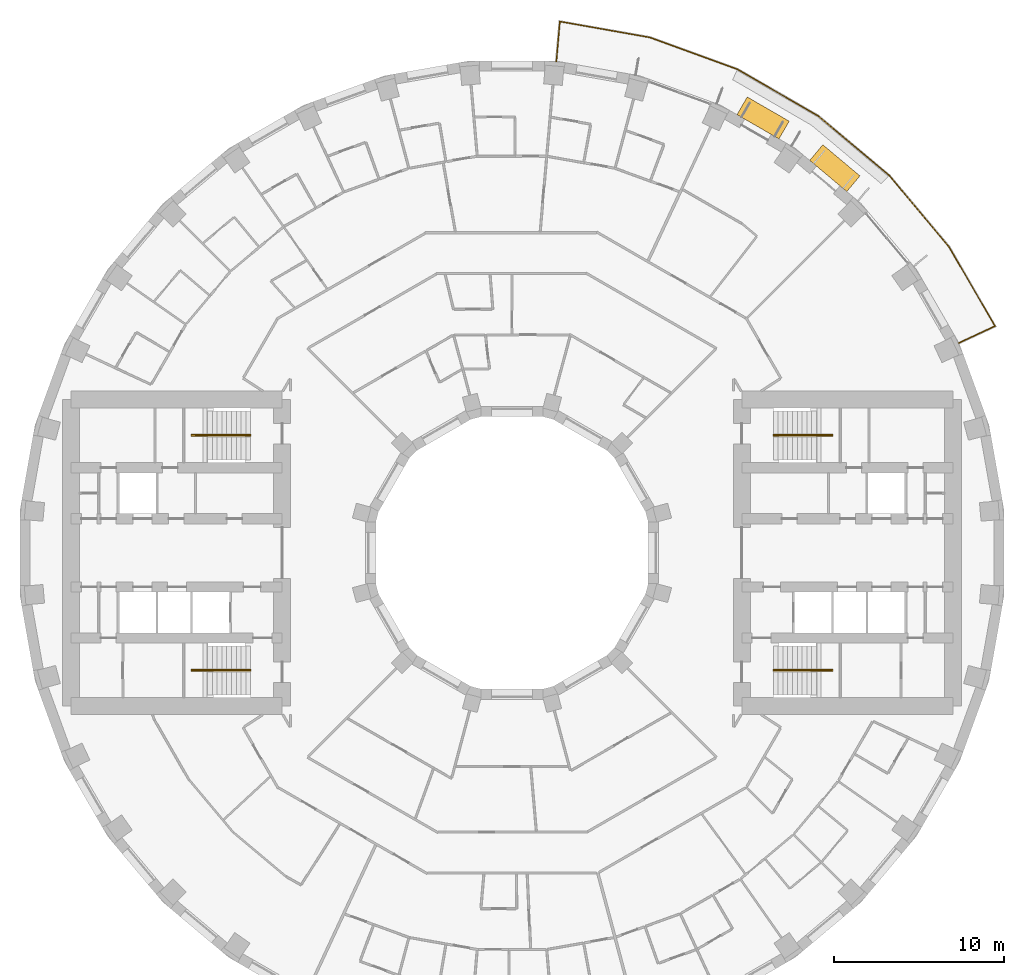
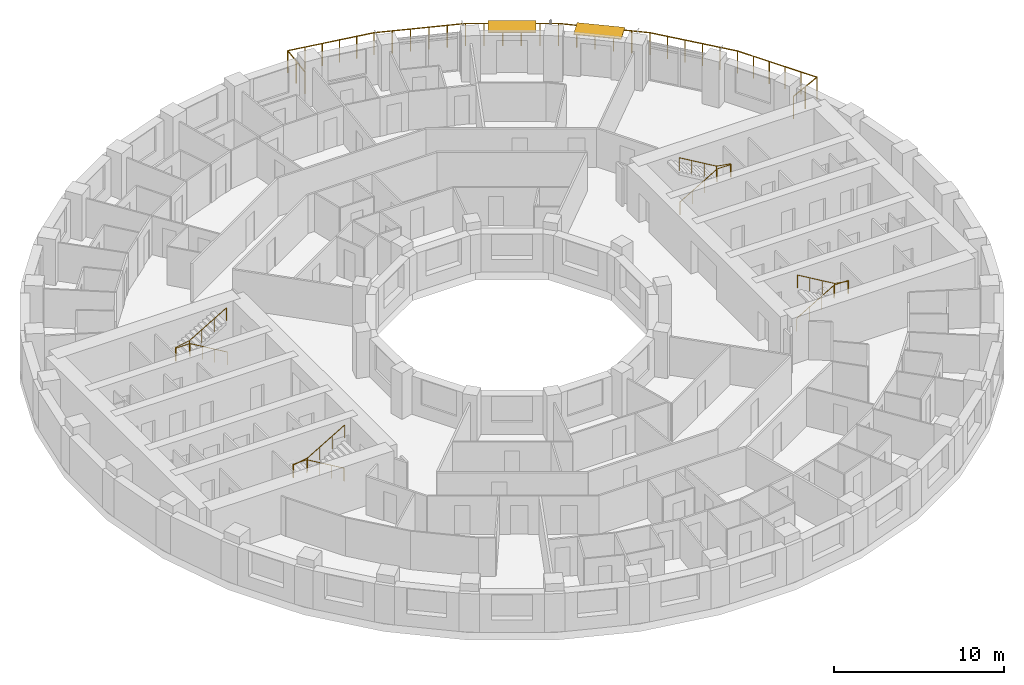
# One storey, part 15 of 15: 5 railings, 2 shading devices.
"""IFC4 building model written with IfcOpenShell, lengths in metres."""

import ifcopenshell
import ifcopenshell.guid

model = None  # the IFC model being written
_history = None  # IfcOwnerHistory: only IFC2X3 demands one
_inside = {}  # id of a spatial element -> (the spatial element, [elements in it])
_under = {}  # id of a project, library or spatial element -> (it, [spatial elements below it])
_declared = {}  # id of a project -> (the project, [libraries it declares])
_typed = {}  # id of a type object -> (the type object, [elements of that type])
_made_of = {}  # id of a material, layer set ... -> (it, [elements and type objects made of it])


def new_model(schema):
    """Start an empty IFC model of exactly this schema.

    Asked for "IFC4X3", IfcOpenShell would pick the latest addendum, in which some entities
    have other attributes; the version numbers below select the first issue.
    IFC2X3 requires an IfcOwnerHistory on every rooted entity: one is made here for all.
    """
    global model, _history
    if schema == "IFC4X3":
        model = ifcopenshell.file(schema_version=(4, 3, 0, 0))
    else:
        model = ifcopenshell.file(schema=schema)
    _inside.clear()
    _under.clear()
    _declared.clear()
    _typed.clear()
    _made_of.clear()
    _history = None
    if model.schema == "IFC2X3":
        org = make("IfcOrganization", Name="unknown")
        user = make(
            "IfcPersonAndOrganization",
            ThePerson=make("IfcPerson", FamilyName="unknown"),
            TheOrganization=org,
        )
        app = make(
            "IfcApplication",
            ApplicationDeveloper=org,
            Version="unknown",
            ApplicationFullName="unknown",
            ApplicationIdentifier="unknown",
        )
        _history = make(
            "IfcOwnerHistory",
            OwningUser=user,
            OwningApplication=app,
            ChangeAction="ADDED",
            CreationDate=0,
        )
    return model


def make(cls, **values):
    """One entity of the class cls with the attributes given. An attribute that is None is left unset."""
    return model.create_entity(
        cls, **{name: value for name, value in values.items() if value is not None}
    )


def rooted(cls, **values):
    """An entity with a GlobalId (a new one), such as an element, a storey or a relation."""
    return make(cls, GlobalId=ifcopenshell.guid.new(), OwnerHistory=_history, **values)


def si_unit(unit_type, name, prefix=None):
    """IfcSIUnit, for example si_unit("LENGTHUNIT", "METRE", prefix="MILLI")."""
    return make("IfcSIUnit", UnitType=unit_type, Prefix=prefix, Name=name)


def assignment(units):
    """IfcUnitAssignment: the units of a project."""
    return None if units is None else make("IfcUnitAssignment", Units=units)


def point(xyz):
    """IfcCartesianPoint."""
    return None if xyz is None else make("IfcCartesianPoint", Coordinates=xyz)


def direction(xyz):
    """IfcDirection."""
    return None if xyz is None else make("IfcDirection", DirectionRatios=xyz)


def frame(location, z_axis=None, x_axis=None):
    """IfcAxis2Placement3D, a coordinate frame: its origin and axes. An axis left out is left unset."""
    return make(
        "IfcAxis2Placement3D",
        Location=point(location),
        Axis=direction(z_axis),
        RefDirection=direction(x_axis),
    )


def frame_2d(location, x_axis=None):
    """IfcAxis2Placement2D, a coordinate frame in the plane: its origin and x axis."""
    return make(
        "IfcAxis2Placement2D", Location=point(location), RefDirection=direction(x_axis)
    )


def origin():
    """The frame at (0, 0, 0) with its axes left unset."""
    return frame((0.0, 0.0, 0.0))


def origin_2d():
    """The frame at (0, 0) in the plane with its x axis left unset."""
    return frame_2d((0.0, 0.0))


def place(relative_to, where):
    """IfcLocalPlacement: puts the frame where relative to a parent placement (None: the world)."""
    return make(
        "IfcLocalPlacement", PlacementRelTo=relative_to, RelativePlacement=where
    )


def context(
    kind, dimensions, precision=None, world=None, true_north=None, identifier=None
):
    """IfcGeometricRepresentationContext, for example the 3D "Model" context."""
    return make(
        "IfcGeometricRepresentationContext",
        ContextIdentifier=identifier,
        ContextType=kind,
        CoordinateSpaceDimension=dimensions,
        Precision=precision,
        WorldCoordinateSystem=world,
        TrueNorth=true_north,
    )


def subcontext(parent, identifier, kind, view, scale=None):
    """IfcGeometricRepresentationSubContext, for example "Body" below "Model"."""
    return make(
        "IfcGeometricRepresentationSubContext",
        ContextIdentifier=identifier,
        ContextType=kind,
        ParentContext=parent,
        TargetScale=scale,
        TargetView=view,
    )


def project(units=None, contexts=None):
    """IfcProject with its units and contexts."""
    return rooted(
        "IfcProject",
        Name="project",
        RepresentationContexts=contexts,
        UnitsInContext=assignment(units),
    )


def spatial(cls, under=None, at=None, **own):
    """A site, building, storey or space (cls), placed at a placement, below another one or the project."""
    s = rooted(cls, ObjectPlacement=at, **own)
    if under is not None:
        _under.setdefault(under.id(), (under, []))[1].append(s)
    return s


def profile(cls, at=None, kind="AREA", **sizes):
    """A parametric profile (cls). Its sizes go by their IFC names, for example OverallWidth=200.0."""
    return make(cls, ProfileType=kind, Position=at, **sizes)


def rectangle(**sizes):
    """IfcRectangleProfileDef."""
    return profile("IfcRectangleProfileDef", **sizes)


def circle(**sizes):
    """IfcCircleProfileDef."""
    return profile("IfcCircleProfileDef", **sizes)


def extrude(swept, where, along, depth):
    """IfcExtrudedAreaSolid: the profile swept, set in the frame where, extruded along a direction by depth."""
    return make(
        "IfcExtrudedAreaSolid",
        SweptArea=swept,
        Position=where,
        ExtrudedDirection=direction(along),
        Depth=depth,
    )


def shape(context_of_items, identifier, shape_type, items):
    """IfcShapeRepresentation: the items that make up one representation, for example the "Body"."""
    return make(
        "IfcShapeRepresentation",
        ContextOfItems=context_of_items,
        RepresentationIdentifier=identifier,
        RepresentationType=shape_type,
        Items=items,
    )


def material(Name=None, Category=None):
    """IfcMaterial."""
    return make("IfcMaterial", Name=Name, Category=Category)


def layer(
    of_material, thickness, ventilated=None, Name=None, Category=None, Priority=None
):
    """IfcMaterialLayer: one layer of a wall or slab, of a material (None: an air gap)."""
    return make(
        "IfcMaterialLayer",
        Material=of_material,
        LayerThickness=thickness,
        IsVentilated=ventilated,
        Name=Name,
        Category=Category,
        Priority=Priority,
    )


def layer_set(layers, Name=None):
    """IfcMaterialLayerSet."""
    return make("IfcMaterialLayerSet", MaterialLayers=layers, LayerSetName=Name)


def made_of(thing, what):
    """Note that an element or type object is made of a material, layer set ...; save() writes the relation."""
    if what is not None:
        _made_of.setdefault(what.id(), (what, []))[1].append(thing)
    return thing


def type_object(cls, material=None, **own):
    """A type object (cls), such as IfcWallType, which elements share."""
    return made_of(rooted(cls, **own), material)


def element(
    cls,
    number,
    at=None,
    inside=None,
    cuts=None,
    type_object=None,
    material=None,
    context=None,
    identifier="Body",
    shape_type=None,
    held_by="IfcProductDefinitionShape",
    body=None,
    shapes=None,
    **own,
):
    """One element of the class cls, such as IfcWall. Its Tag is "e" and its number.

    at: its placement. inside: the storey or other place that contains it. cuts: it is an
    opening in that element (IfcRelVoidsElement). A single representation is given by context,
    identifier, shape_type and body (its items); several are given by shapes. held_by: the class
    of the entity that holds the representations. save() writes the other relations.
    """
    e = rooted(cls, Tag="e%d" % number, ObjectPlacement=at, **own)
    if body is not None:
        shapes = [shape(context, identifier, shape_type, body)]
    if shapes is not None:
        e.Representation = make(held_by, Representations=shapes)
    if inside is not None:
        _inside.setdefault(inside.id(), (inside, []))[1].append(e)
    if cuts is not None:
        rooted(
            "IfcRelVoidsElement", RelatingBuildingElement=cuts, RelatedOpeningElement=e
        )
    if type_object is not None:
        _typed.setdefault(type_object.id(), (type_object, []))[1].append(e)
    return made_of(e, material)


def aggregate(whole, parts):
    """IfcRelAggregates: a whole, such as a stair, and the parts it consists of."""
    return rooted("IfcRelAggregates", RelatingObject=whole, RelatedObjects=parts)


def save(model, path):
    """Write the relations noted so far, then the file.

    IfcRelAggregates (storeys below a building ...), IfcRelContainedInSpatialStructure (elements
    in a storey), IfcRelDefinesByType, IfcRelAssociatesMaterial and IfcRelDeclares: one each for
    every whole, place, type object, material and project.
    """
    for whole, parts in _under.values():
        aggregate(whole, parts)
    for where, things in _inside.values():
        rooted(
            "IfcRelContainedInSpatialStructure",
            RelatedElements=things,
            RelatingStructure=where,
        )
    for kind, things in _typed.values():
        rooted("IfcRelDefinesByType", RelatedObjects=things, RelatingType=kind)
    for what, things in _made_of.values():
        rooted("IfcRelAssociatesMaterial", RelatedObjects=things, RelatingMaterial=what)
    for by, libraries in _declared.values():
        rooted("IfcRelDeclares", RelatingContext=by, RelatedDefinitions=libraries)
    model.write(path)


model = new_model("IFC4")

# Units and contexts
model_context = context("Model", 3, precision=1e-05, world=origin(), true_north=direction((0.0, 1.0)))
body_context = subcontext(model_context, "Body", "Model", "MODEL_VIEW")
ifc_project = project(units=[si_unit("LENGTHUNIT", "METRE"), si_unit("AREAUNIT", "SQUARE_METRE"), si_unit("VOLUMEUNIT", "CUBIC_METRE"), si_unit("PLANEANGLEUNIT", "RADIAN"), si_unit("MASSUNIT", "GRAM", prefix="KILO")], contexts=[model_context])

# Site, building, storey
site_placement = place(None, origin())
site = spatial("IfcSite", under=ifc_project, at=site_placement, CompositionType="ELEMENT")
building_placement = place(site_placement, origin())
building = spatial("IfcBuilding", under=site, at=building_placement, Name="Saqina Gate Tower", CompositionType="ELEMENT")
storey_placement = place(building_placement, frame((0.0, 0.0, 69.199951171875)))
storey = spatial("IfcBuildingStorey", under=building, at=storey_placement, Name="L19", CompositionType="ELEMENT", Elevation=69.199951171875)

# Shading devices
ifc_material_1 = material(Name="Aluminium and fabric awning", Category="aluminium")
ifc_layer = layer(ifc_material_1, 0.050048828125)
ifc_layer_set = layer_set([ifc_layer], Name="AW-TERRACE")
shading_device_type = type_object("IfcShadingDeviceType", Name="AW-TERRACE", PredefinedType="AWNING", material=ifc_layer_set)
for number, where, z_axis, x_axis, name in (
    (1, (18.95556640625, 22.59033203125, 2.52490234375), (0.0, 0.0, 1.0), (-0.766044443119, 0.642787609687, 0.0), "Terrace awning L19 facet 5"),
    (2, (14.744873046875, 25.538818359375, 2.52490234375), (0.0, 0.0, 1.0), (-0.866025403784, 0.5, 0.0), "Terrace awning L19 facet 6"),
):
    element("IfcShadingDevice", number, at=place(storey_placement, frame(where, z_axis=z_axis, x_axis=x_axis)), inside=storey, type_object=shading_device_type, Name=name, PredefinedType="AWNING", context=body_context, shape_type="SweptSolid", body=[
        extrude(rectangle(XDim=2.845703125, YDim=1.199951171875, at=origin_2d()), origin(), (0.0, 0.0, 1.0), 0.050048828125),
    ])

# Railings
ifc_material_2 = material(Name="Stainless steel", Category="steel")
railing_type_1 = type_object("IfcRailingType", Name="RL-TERRACE", PredefinedType="GUARDRAIL", material=ifc_material_2)
railing_1_placement = place(storey_placement, frame((26.194580078125, 12.302978515625, 0.0)))
element("IfcRailing", 3, at=railing_1_placement, inside=storey, type_object=railing_type_1, Name="Terrace guard L19", PredefinedType="GUARDRAIL", context=body_context, shape_type="SweptSolid", body=[
    extrude(circle(Radius=0.02392578125, at=origin_2d()), frame((0.0, 0.0, 1.576171875), z_axis=(0.906295364449, 0.422644901044, 0.0), x_axis=(-0.422644901044, 0.906295364449, 0.0)), (0.0, 0.0, 1.0), 2.38916015625),
    extrude(circle(Radius=0.02392578125, at=origin_2d()), frame((2.165283203125, 1.009765625, 1.576171875), z_axis=(-0.50114357045, 0.8653641556, 0.0), x_axis=(-0.8653641556, -0.50114357045, 0.0)), (0.0, 0.0, 1.0), 5.38134765625),
    extrude(circle(Radius=0.02392578125, at=origin_2d()), frame((-0.531494140625, 5.66650390625, 1.576171875), z_axis=(-0.642788339532, 0.766043830705, 0.0), x_axis=(-0.766043830705, -0.642788339532, 0.0)), (0.0, 0.0, 1.0), 5.4609375),
    extrude(circle(Radius=0.02392578125, at=origin_2d()), frame((-4.041748046875, 9.849853515625, 1.576171875), z_axis=(-0.766043830705, 0.642788339532, 0.0), x_axis=(-0.642788339532, -0.766043830705, 0.0)), (0.0, 0.0, 1.0), 5.4609375),
    extrude(circle(Radius=0.02392578125, at=origin_2d()), frame((-8.22509765625, 13.360107421875, 1.576171875), z_axis=(-0.866033716285, 0.499985602051, 0.0), x_axis=(-0.499985602051, -0.866033716285, 0.0)), (0.0, 0.0, 1.0), 5.461181640625),
    extrude(circle(Radius=0.02392578125, at=origin_2d()), frame((-12.95458984375, 16.090576171875, 1.576171875), z_axis=(-0.939682423935, 0.342048157644, 0.0), x_axis=(-0.342048157644, -0.939682423935, 0.0)), (0.0, 0.0, 1.0), 5.4609375),
    extrude(circle(Radius=0.02392578125, at=origin_2d()), frame((-18.086181640625, 17.95849609375, 1.576171875), z_axis=(-0.98458560798, 0.174903346333, 0.0), x_axis=(-0.174903346333, -0.98458560798, 0.0)), (0.0, 0.0, 1.0), 5.381103515625),
    extrude(circle(Radius=0.02392578125, at=origin_2d()), frame((-23.38427734375, 18.899658203125, 1.576171875), z_axis=(-0.087180896688, -0.996192497087, 0.0), x_axis=(0.996192497087, -0.087180896688, 0.0)), (0.0, 0.0, 1.0), 2.388671875),
    extrude(circle(Radius=0.02099609375, at=origin_2d()), origin(), (0.0, 0.0, 1.0), 1.552001953125),
    extrude(circle(Radius=0.02099609375, at=origin_2d()), frame((1.08251953125, 0.5048828125, 0.0)), (0.0, 0.0, 1.0), 1.552001953125),
    extrude(circle(Radius=0.02099609375, at=origin_2d()), frame((2.165283203125, 1.009765625, 0.0)), (0.0, 0.0, 1.0), 1.552001953125),
    extrude(circle(Radius=0.02099609375, at=origin_2d()), frame((1.6259765625, 1.941162109375, 0.0)), (0.0, 0.0, 1.0), 1.552001953125),
    extrude(circle(Radius=0.02099609375, at=origin_2d()), frame((1.086669921875, 2.87255859375, 0.0)), (0.0, 0.0, 1.0), 1.552001953125),
    extrude(circle(Radius=0.02099609375, at=origin_2d()), frame((0.547119140625, 3.8037109375, 0.0)), (0.0, 0.0, 1.0), 1.552001953125),
    extrude(circle(Radius=0.02099609375, at=origin_2d()), frame((0.0078125, 4.735107421875, 0.0)), (0.0, 0.0, 1.0), 1.552001953125),
    extrude(circle(Radius=0.02099609375, at=origin_2d()), frame((-0.531494140625, 5.66650390625, 0.0)), (0.0, 0.0, 1.0), 1.552001953125),
    extrude(circle(Radius=0.02099609375, at=origin_2d()), frame((-1.233642578125, 6.503173828125, 0.0)), (0.0, 0.0, 1.0), 1.552001953125),
    extrude(circle(Radius=0.02099609375, at=origin_2d()), frame((-1.935546875, 7.33984375, 0.0)), (0.0, 0.0, 1.0), 1.552001953125),
    extrude(circle(Radius=0.02099609375, at=origin_2d()), frame((-2.6376953125, 8.176513671875, 0.0)), (0.0, 0.0, 1.0), 1.552001953125),
    extrude(circle(Radius=0.02099609375, at=origin_2d()), frame((-3.339599609375, 9.01318359375, 0.0)), (0.0, 0.0, 1.0), 1.552001953125),
    extrude(circle(Radius=0.02099609375, at=origin_2d()), frame((-4.041748046875, 9.849853515625, 0.0)), (0.0, 0.0, 1.0), 1.552001953125),
    extrude(circle(Radius=0.02099609375, at=origin_2d()), frame((-4.87841796875, 10.552001953125, 0.0)), (0.0, 0.0, 1.0), 1.552001953125),
    extrude(circle(Radius=0.02099609375, at=origin_2d()), frame((-5.715087890625, 11.25390625, 0.0)), (0.0, 0.0, 1.0), 1.552001953125),
    extrude(circle(Radius=0.02099609375, at=origin_2d()), frame((-6.5517578125, 11.9560546875, 0.0)), (0.0, 0.0, 1.0), 1.552001953125),
    extrude(circle(Radius=0.02099609375, at=origin_2d()), frame((-7.388427734375, 12.657958984375, 0.0)), (0.0, 0.0, 1.0), 1.552001953125),
    extrude(circle(Radius=0.02099609375, at=origin_2d()), frame((-8.22509765625, 13.360107421875, 0.0)), (0.0, 0.0, 1.0), 1.552001953125),
    extrude(circle(Radius=0.02099609375, at=origin_2d()), frame((-9.1708984375, 13.90625, 0.0)), (0.0, 0.0, 1.0), 1.552001953125),
    extrude(circle(Radius=0.02099609375, at=origin_2d()), frame((-10.116943359375, 14.452392578125, 0.0)), (0.0, 0.0, 1.0), 1.552001953125),
    extrude(circle(Radius=0.02099609375, at=origin_2d()), frame((-11.062744140625, 14.998291015625, 0.0)), (0.0, 0.0, 1.0), 1.552001953125),
    extrude(circle(Radius=0.02099609375, at=origin_2d()), frame((-12.0087890625, 15.54443359375, 0.0)), (0.0, 0.0, 1.0), 1.552001953125),
    extrude(circle(Radius=0.02099609375, at=origin_2d()), frame((-12.95458984375, 16.090576171875, 0.0)), (0.0, 0.0, 1.0), 1.552001953125),
    extrude(circle(Radius=0.02099609375, at=origin_2d()), frame((-13.98095703125, 16.464111328125, 0.0)), (0.0, 0.0, 1.0), 1.552001953125),
    extrude(circle(Radius=0.02099609375, at=origin_2d()), frame((-15.00732421875, 16.837646484375, 0.0)), (0.0, 0.0, 1.0), 1.552001953125),
    extrude(circle(Radius=0.02099609375, at=origin_2d()), frame((-16.033447265625, 17.21142578125, 0.0)), (0.0, 0.0, 1.0), 1.552001953125),
    extrude(circle(Radius=0.02099609375, at=origin_2d()), frame((-17.059814453125, 17.5849609375, 0.0)), (0.0, 0.0, 1.0), 1.552001953125),
    extrude(circle(Radius=0.02099609375, at=origin_2d()), frame((-18.086181640625, 17.95849609375, 0.0)), (0.0, 0.0, 1.0), 1.552001953125),
    extrude(circle(Radius=0.02099609375, at=origin_2d()), frame((-19.145751953125, 18.146728515625, 0.0)), (0.0, 0.0, 1.0), 1.552001953125),
    extrude(circle(Radius=0.02099609375, at=origin_2d()), frame((-20.205322265625, 18.3349609375, 0.0)), (0.0, 0.0, 1.0), 1.552001953125),
    extrude(circle(Radius=0.02099609375, at=origin_2d()), frame((-21.26513671875, 18.523193359375, 0.0)), (0.0, 0.0, 1.0), 1.552001953125),
    extrude(circle(Radius=0.02099609375, at=origin_2d()), frame((-22.32470703125, 18.71142578125, 0.0)), (0.0, 0.0, 1.0), 1.552001953125),
    extrude(circle(Radius=0.02099609375, at=origin_2d()), frame((-23.38427734375, 18.899658203125, 0.0)), (0.0, 0.0, 1.0), 1.552001953125),
    extrude(circle(Radius=0.02099609375, at=origin_2d()), frame((-23.48828125, 17.7099609375, 0.0)), (0.0, 0.0, 1.0), 1.552001953125),
    extrude(circle(Radius=0.02099609375, at=origin_2d()), frame((-23.592529296875, 16.52001953125, 0.0)), (0.0, 0.0, 1.0), 1.552001953125),
])
ifc_material_3 = material(Name="Stainless steel", Category="steel")
railing_type_2 = type_object("IfcRailingType", Name="STAIR HANDRAIL", PredefinedType="HANDRAIL", material=ifc_material_3)
railing_2_placement = place(storey_placement, frame((15.35009765625, 6.86669921875, 0.1650390625)))
element("IfcRailing", 4, at=railing_2_placement, inside=storey, type_object=railing_type_2, Name="EXIT STAIR 1 HANDRAIL", PredefinedType="HANDRAIL", context=body_context, shape_type="SweptSolid", body=[
    extrude(circle(Radius=0.02392578125, at=origin_2d()), frame((0.0, 0.0, 0.92578125), z_axis=(0.86152411907, 0.0, 0.507716645641), x_axis=(0.0, 1.0, 0.0)), (0.0, 0.0, 1.0), 2.925048828125),
    extrude(circle(Radius=0.02392578125, at=origin_2d()), frame((2.52001953125, 0.0, 2.4111328125), z_axis=(1.0, 0.0, 0.0), x_axis=(0.0, 1.0, 0.0)), (0.0, 0.0, 1.0), 0.949951171875),
    extrude(circle(Radius=0.02392578125, at=origin_2d()), frame((3.469970703125, 0.0, 2.4111328125), z_axis=(0.0, 1.0, 0.0), x_axis=(-1.0, 0.0, 0.0)), (0.0, 0.0, 1.0), 0.066650390625),
    extrude(circle(Radius=0.02392578125, at=origin_2d()), frame((3.469970703125, 0.066650390625, 2.4111328125), z_axis=(-0.985284148366, 0.0, 0.170924389655), x_axis=(0.0, -1.0, 0.0)), (0.0, 0.0, 1.0), 0.964111328125),
    extrude(circle(Radius=0.02392578125, at=origin_2d()), frame((2.52001953125, 0.066650390625, 2.57568359375), z_axis=(-0.86152411907, 0.0, 0.507716645641), x_axis=(0.0, -1.0, 0.0)), (0.0, 0.0, 1.0), 2.925048828125),
    extrude(circle(Radius=0.02099609375, at=origin_2d()), origin(), (0.0, 0.0, 1.0), 0.90185546875),
    extrude(circle(Radius=0.02099609375, at=origin_2d()), frame((0.840087890625, 0.0, 0.4951171875)), (0.0, 0.0, 1.0), 0.90185546875),
    extrude(circle(Radius=0.02099609375, at=origin_2d()), frame((1.679931640625, 0.0, 0.989990234375)), (0.0, 0.0, 1.0), 0.90185546875),
    extrude(circle(Radius=0.02099609375, at=origin_2d()), frame((2.52001953125, 0.0, 1.485107421875)), (0.0, 0.0, 1.0), 0.90185546875),
    extrude(circle(Radius=0.02099609375, at=origin_2d()), frame((3.469970703125, 0.0, 1.485107421875)), (0.0, 0.0, 1.0), 0.90185546875),
    extrude(circle(Radius=0.02099609375, at=origin_2d()), frame((3.469970703125, 0.066650390625, 1.485107421875)), (0.0, 0.0, 1.0), 0.90185546875),
    extrude(circle(Radius=0.02099609375, at=origin_2d()), frame((2.52001953125, 0.066650390625, 1.64990234375)), (0.0, 0.0, 1.0), 0.90185546875),
    extrude(circle(Radius=0.02099609375, at=origin_2d()), frame((1.679931640625, 0.066650390625, 2.14501953125)), (0.0, 0.0, 1.0), 0.90185546875),
    extrude(circle(Radius=0.02099609375, at=origin_2d()), frame((0.840087890625, 0.066650390625, 2.639892578125)), (0.0, 0.0, 1.0), 0.90185546875),
    extrude(circle(Radius=0.02099609375, at=origin_2d()), frame((0.0, 0.066650390625, 3.135009765625)), (0.0, 0.0, 1.0), 0.90185546875),
])
railing_3_placement = place(storey_placement, frame((15.35009765625, -6.86669921875, 0.1650390625)))
element("IfcRailing", 5, at=railing_3_placement, inside=storey, type_object=railing_type_2, Name="EXIT STAIR 2 HANDRAIL", PredefinedType="HANDRAIL", context=body_context, shape_type="SweptSolid", body=[
    extrude(circle(Radius=0.02392578125, at=origin_2d()), frame((0.0, 0.0, 0.92578125), z_axis=(0.86152411907, 0.0, 0.507716645641), x_axis=(0.0, 1.0, 0.0)), (0.0, 0.0, 1.0), 2.925048828125),
    extrude(circle(Radius=0.02392578125, at=origin_2d()), frame((2.52001953125, 0.0, 2.4111328125), z_axis=(1.0, 0.0, 0.0), x_axis=(0.0, 1.0, 0.0)), (0.0, 0.0, 1.0), 0.949951171875),
    extrude(circle(Radius=0.02392578125, at=origin_2d()), frame((3.469970703125, 0.0, 2.4111328125), z_axis=(0.0, -1.0, 0.0), x_axis=(1.0, 0.0, 0.0)), (0.0, 0.0, 1.0), 0.066650390625),
    extrude(circle(Radius=0.02392578125, at=origin_2d()), frame((3.469970703125, -0.066650390625, 2.4111328125), z_axis=(-0.985284148366, 0.0, 0.170924389655), x_axis=(0.0, -1.0, 0.0)), (0.0, 0.0, 1.0), 0.964111328125),
    extrude(circle(Radius=0.02392578125, at=origin_2d()), frame((2.52001953125, -0.066650390625, 2.57568359375), z_axis=(-0.86152411907, 0.0, 0.507716645641), x_axis=(0.0, -1.0, 0.0)), (0.0, 0.0, 1.0), 2.925048828125),
    extrude(circle(Radius=0.02099609375, at=origin_2d()), origin(), (0.0, 0.0, 1.0), 0.90185546875),
    extrude(circle(Radius=0.02099609375, at=origin_2d()), frame((0.840087890625, 0.0, 0.4951171875)), (0.0, 0.0, 1.0), 0.90185546875),
    extrude(circle(Radius=0.02099609375, at=origin_2d()), frame((1.679931640625, 0.0, 0.989990234375)), (0.0, 0.0, 1.0), 0.90185546875),
    extrude(circle(Radius=0.02099609375, at=origin_2d()), frame((2.52001953125, 0.0, 1.485107421875)), (0.0, 0.0, 1.0), 0.90185546875),
    extrude(circle(Radius=0.02099609375, at=origin_2d()), frame((3.469970703125, 0.0, 1.485107421875)), (0.0, 0.0, 1.0), 0.90185546875),
    extrude(circle(Radius=0.02099609375, at=origin_2d()), frame((3.469970703125, -0.066650390625, 1.485107421875)), (0.0, 0.0, 1.0), 0.90185546875),
    extrude(circle(Radius=0.02099609375, at=origin_2d()), frame((2.52001953125, -0.066650390625, 1.64990234375)), (0.0, 0.0, 1.0), 0.90185546875),
    extrude(circle(Radius=0.02099609375, at=origin_2d()), frame((1.679931640625, -0.066650390625, 2.14501953125)), (0.0, 0.0, 1.0), 0.90185546875),
    extrude(circle(Radius=0.02099609375, at=origin_2d()), frame((0.840087890625, -0.066650390625, 2.639892578125)), (0.0, 0.0, 1.0), 0.90185546875),
    extrude(circle(Radius=0.02099609375, at=origin_2d()), frame((0.0, -0.066650390625, 3.135009765625)), (0.0, 0.0, 1.0), 0.90185546875),
])
railing_4_placement = place(storey_placement, frame((-15.35009765625, 6.86669921875, 0.1650390625)))
element("IfcRailing", 6, at=railing_4_placement, inside=storey, type_object=railing_type_2, Name="EXIT STAIR 3 HANDRAIL", PredefinedType="HANDRAIL", context=body_context, shape_type="SweptSolid", body=[
    extrude(circle(Radius=0.02392578125, at=origin_2d()), frame((0.0, 0.0, 0.92578125), z_axis=(-0.86152411907, 0.0, 0.507716645641), x_axis=(0.0, -1.0, 0.0)), (0.0, 0.0, 1.0), 2.925048828125),
    extrude(circle(Radius=0.02392578125, at=origin_2d()), frame((-2.52001953125, 0.0, 2.4111328125), z_axis=(-1.0, 0.0, 0.0), x_axis=(0.0, -1.0, 0.0)), (0.0, 0.0, 1.0), 0.949951171875),
    extrude(circle(Radius=0.02392578125, at=origin_2d()), frame((-3.469970703125, 0.0, 2.4111328125), z_axis=(0.0, 1.0, 0.0), x_axis=(-1.0, 0.0, 0.0)), (0.0, 0.0, 1.0), 0.066650390625),
    extrude(circle(Radius=0.02392578125, at=origin_2d()), frame((-3.469970703125, 0.066650390625, 2.4111328125), z_axis=(0.985284148366, 0.0, 0.170924389655), x_axis=(0.0, 1.0, 0.0)), (0.0, 0.0, 1.0), 0.964111328125),
    extrude(circle(Radius=0.02392578125, at=origin_2d()), frame((-2.52001953125, 0.066650390625, 2.57568359375), z_axis=(0.86152411907, 0.0, 0.507716645641), x_axis=(0.0, 1.0, 0.0)), (0.0, 0.0, 1.0), 2.925048828125),
    extrude(circle(Radius=0.02099609375, at=origin_2d()), origin(), (0.0, 0.0, 1.0), 0.90185546875),
    extrude(circle(Radius=0.02099609375, at=origin_2d()), frame((-0.840087890625, 0.0, 0.4951171875)), (0.0, 0.0, 1.0), 0.90185546875),
    extrude(circle(Radius=0.02099609375, at=origin_2d()), frame((-1.679931640625, 0.0, 0.989990234375)), (0.0, 0.0, 1.0), 0.90185546875),
    extrude(circle(Radius=0.02099609375, at=origin_2d()), frame((-2.52001953125, 0.0, 1.485107421875)), (0.0, 0.0, 1.0), 0.90185546875),
    extrude(circle(Radius=0.02099609375, at=origin_2d()), frame((-3.469970703125, 0.0, 1.485107421875)), (0.0, 0.0, 1.0), 0.90185546875),
    extrude(circle(Radius=0.02099609375, at=origin_2d()), frame((-3.469970703125, 0.066650390625, 1.485107421875)), (0.0, 0.0, 1.0), 0.90185546875),
    extrude(circle(Radius=0.02099609375, at=origin_2d()), frame((-2.52001953125, 0.066650390625, 1.64990234375)), (0.0, 0.0, 1.0), 0.90185546875),
    extrude(circle(Radius=0.02099609375, at=origin_2d()), frame((-1.679931640625, 0.066650390625, 2.14501953125)), (0.0, 0.0, 1.0), 0.90185546875),
    extrude(circle(Radius=0.02099609375, at=origin_2d()), frame((-0.840087890625, 0.066650390625, 2.639892578125)), (0.0, 0.0, 1.0), 0.90185546875),
    extrude(circle(Radius=0.02099609375, at=origin_2d()), frame((0.0, 0.066650390625, 3.135009765625)), (0.0, 0.0, 1.0), 0.90185546875),
])
railing_5_placement = place(storey_placement, frame((-15.35009765625, -6.86669921875, 0.1650390625)))
element("IfcRailing", 7, at=railing_5_placement, inside=storey, type_object=railing_type_2, Name="EXIT STAIR 4 HANDRAIL", PredefinedType="HANDRAIL", context=body_context, shape_type="SweptSolid", body=[
    extrude(circle(Radius=0.02392578125, at=origin_2d()), frame((0.0, 0.0, 0.92578125), z_axis=(-0.86152411907, 0.0, 0.507716645641), x_axis=(0.0, -1.0, 0.0)), (0.0, 0.0, 1.0), 2.925048828125),
    extrude(circle(Radius=0.02392578125, at=origin_2d()), frame((-2.52001953125, 0.0, 2.4111328125), z_axis=(-1.0, 0.0, 0.0), x_axis=(0.0, -1.0, 0.0)), (0.0, 0.0, 1.0), 0.949951171875),
    extrude(circle(Radius=0.02392578125, at=origin_2d()), frame((-3.469970703125, 0.0, 2.4111328125), z_axis=(0.0, -1.0, 0.0), x_axis=(1.0, 0.0, 0.0)), (0.0, 0.0, 1.0), 0.066650390625),
    extrude(circle(Radius=0.02392578125, at=origin_2d()), frame((-3.469970703125, -0.066650390625, 2.4111328125), z_axis=(0.985284148366, 0.0, 0.170924389655), x_axis=(0.0, 1.0, 0.0)), (0.0, 0.0, 1.0), 0.964111328125),
    extrude(circle(Radius=0.02392578125, at=origin_2d()), frame((-2.52001953125, -0.066650390625, 2.57568359375), z_axis=(0.86152411907, 0.0, 0.507716645641), x_axis=(0.0, 1.0, 0.0)), (0.0, 0.0, 1.0), 2.925048828125),
    extrude(circle(Radius=0.02099609375, at=origin_2d()), origin(), (0.0, 0.0, 1.0), 0.90185546875),
    extrude(circle(Radius=0.02099609375, at=origin_2d()), frame((-0.840087890625, 0.0, 0.4951171875)), (0.0, 0.0, 1.0), 0.90185546875),
    extrude(circle(Radius=0.02099609375, at=origin_2d()), frame((-1.679931640625, 0.0, 0.989990234375)), (0.0, 0.0, 1.0), 0.90185546875),
    extrude(circle(Radius=0.02099609375, at=origin_2d()), frame((-2.52001953125, 0.0, 1.485107421875)), (0.0, 0.0, 1.0), 0.90185546875),
    extrude(circle(Radius=0.02099609375, at=origin_2d()), frame((-3.469970703125, 0.0, 1.485107421875)), (0.0, 0.0, 1.0), 0.90185546875),
    extrude(circle(Radius=0.02099609375, at=origin_2d()), frame((-3.469970703125, -0.066650390625, 1.485107421875)), (0.0, 0.0, 1.0), 0.90185546875),
    extrude(circle(Radius=0.02099609375, at=origin_2d()), frame((-2.52001953125, -0.066650390625, 1.64990234375)), (0.0, 0.0, 1.0), 0.90185546875),
    extrude(circle(Radius=0.02099609375, at=origin_2d()), frame((-1.679931640625, -0.066650390625, 2.14501953125)), (0.0, 0.0, 1.0), 0.90185546875),
    extrude(circle(Radius=0.02099609375, at=origin_2d()), frame((-0.840087890625, -0.066650390625, 2.639892578125)), (0.0, 0.0, 1.0), 0.90185546875),
    extrude(circle(Radius=0.02099609375, at=origin_2d()), frame((0.0, -0.066650390625, 3.135009765625)), (0.0, 0.0, 1.0), 0.90185546875),
])

save(model, "model.ifc")
